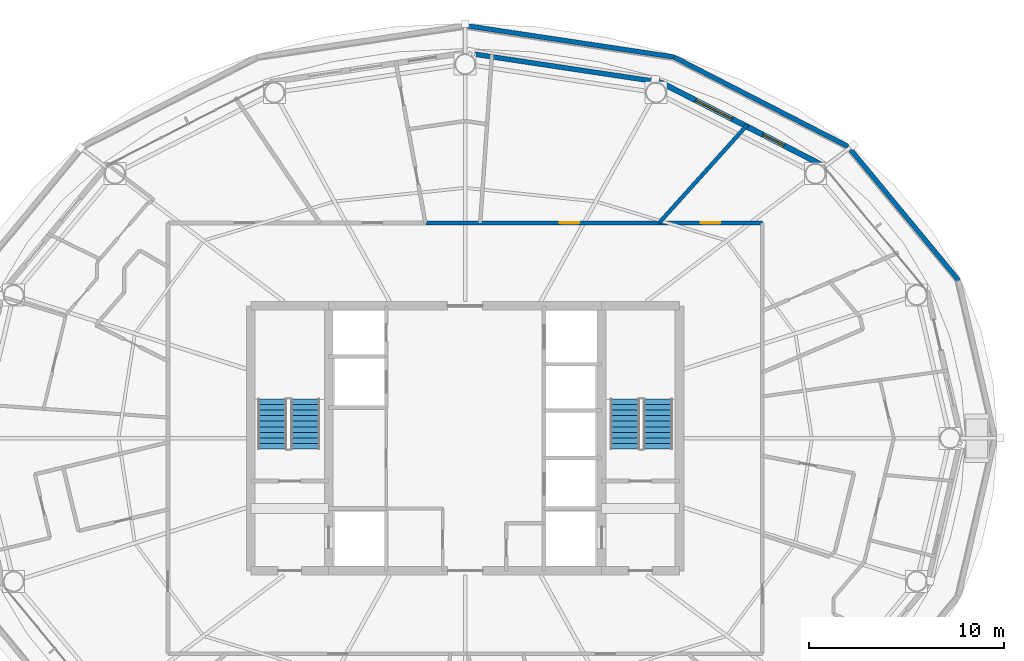
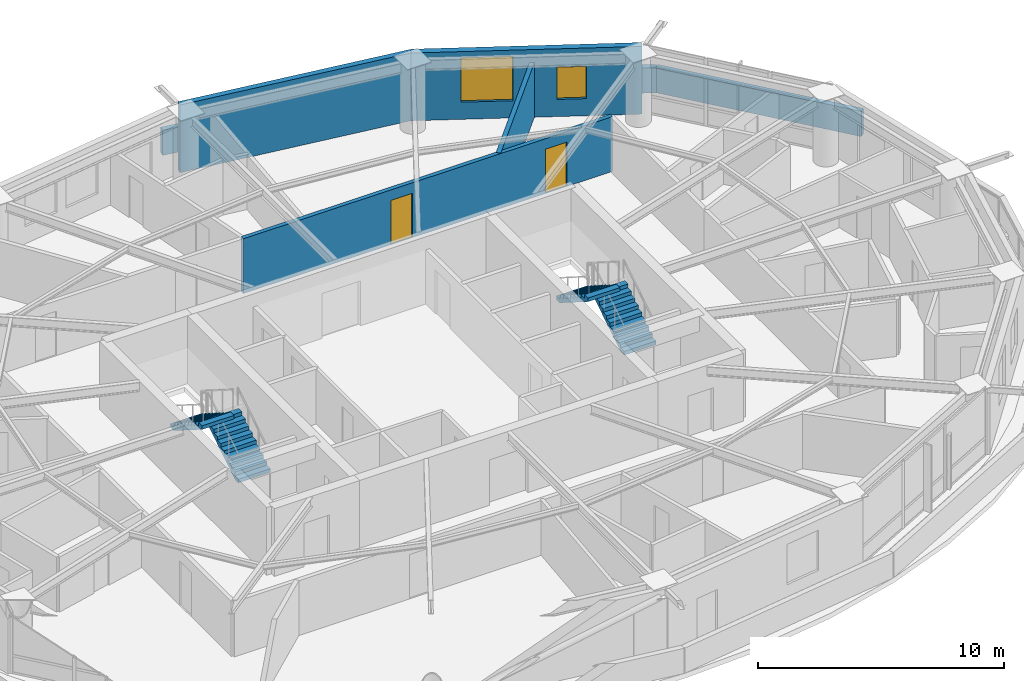
# One storey, part 19 of 22: 7 walls, 4 stair flights, 2 doors, 2 windows, 4 openings, 2 elements without a shape of their own.
"""IFC4 building model written with IfcOpenShell, lengths in metres."""

from ifc_helpers import new_model, si_unit, direction, frame, frame_2d, origin, place, context, subcontext, project, spatial, polyline, rectangle, outline, extrude, material, layer, layer_set, type_object, element, fill, aggregate, save


model = new_model("IFC4")

# Units and contexts
model_context = context("Model", 3, precision=1e-05, world=origin(), true_north=direction((0.0, 1.0)))
body_context = subcontext(model_context, "Body", "Model", "MODEL_VIEW")
ifc_project = project(units=[si_unit("LENGTHUNIT", "METRE"), si_unit("AREAUNIT", "SQUARE_METRE"), si_unit("VOLUMEUNIT", "CUBIC_METRE"), si_unit("PLANEANGLEUNIT", "RADIAN"), si_unit("MASSUNIT", "GRAM", prefix="KILO")], contexts=[model_context])

# Site, building, storey
site_placement = place(None, origin())
site = spatial("IfcSite", under=ifc_project, at=site_placement, CompositionType="ELEMENT")
building_placement = place(site_placement, origin())
building = spatial("IfcBuilding", under=site, at=building_placement, Name="Sarneth Arch Tower", CompositionType="ELEMENT")
storey_placement = place(building_placement, frame((0.0, 0.0, 206.39990234375)))
storey = spatial("IfcBuildingStorey", under=building, at=storey_placement, Name="L52", CompositionType="ELEMENT", Elevation=206.39990234375)

# Wall, openings, doors
ifc_material_1 = material(Name="Double steel-stud corridor fire wall", Category="steel")
ifc_layer_1 = layer(ifc_material_1, 0.18994140625)
ifc_layer_set_1 = layer_set([ifc_layer_1], Name="Double steel-stud corridor fire wall")
wall_type_1 = type_object("IfcWallType", Name="WALL-CORR-190", PredefinedType="PARTITIONING", material=ifc_layer_set_1)
wall_1_placement = place(storey_placement, frame((45.931396484375, 53.050048828125, 0.0), z_axis=(0.0, 0.0, 1.0), x_axis=(1.0, 0.0, 0.0)))
wall_1 = element("IfcWall", 1, at=wall_1_placement, inside=storey, type_object=wall_type_1, Name="L52 Interior partition W-L52-TP-005", PredefinedType="PARTITIONING", context=body_context, shape_type="SweptSolid", body=[
    extrude(rectangle(XDim=17.318603515625, YDim=0.18994140625, at=frame_2d((8.6591796875, 0.0))), origin(), (0.0, 0.0, 1.0), 2.72021484375),
])
opening_1_placement = place(wall_1_placement, frame((6.93505859375, 0.0, 0.0)))
opening_1 = element("IfcOpeningElement", 2, at=opening_1_placement, cuts=wall_1, Name="Opening FD-08", PredefinedType="OPENING", context=body_context, shape_type="SweptSolid", body=[
    extrude(rectangle(XDim=1.0, YDim=2.199951171875, at=frame_2d((0.5, 1.10009765625))), frame((0.0, 0.10498046875, 0.0), z_axis=(0.0, -1.0, 0.0), x_axis=(1.0, 0.0, 0.0)), (0.0, 0.0, 1.0), 0.2099609375),
])
opening_2_placement = place(wall_1_placement, frame((14.168212890625, 0.0, 0.0)))
opening_2 = element("IfcOpeningElement", 3, at=opening_2_placement, cuts=wall_1, Name="Opening FD-08", PredefinedType="OPENING", context=body_context, shape_type="SweptSolid", body=[
    extrude(rectangle(XDim=1.0, YDim=2.199951171875, at=frame_2d((0.5, 1.10009765625))), frame((0.0, 0.10498046875, 0.0), z_axis=(0.0, -1.0, 0.0), x_axis=(1.0, 0.0, 0.0)), (0.0, 0.0, 1.0), 0.2099609375),
])
ifc_material_2 = material(Name="Hardwood timber acoustic fire door", Category="wood")
door_type = type_object("IfcDoorType", Name="DR-FD60-1000", OperationType="SINGLE_SWING_LEFT", PredefinedType="DOOR", material=ifc_material_2)
door_1_placement = place(opening_1_placement, origin())
door_1 = element("IfcDoor", 4, at=door_1_placement, inside=storey, type_object=door_type, Name="L52 Interior door DR-L52-RAMN-02", OperationType="SINGLE_SWING_LEFT", OverallHeight=2.199951171875, OverallWidth=1.0, PredefinedType="DOOR", context=body_context, shape_type="SweptSolid", body=[
    extrude(rectangle(XDim=1.0, YDim=2.199951171875, at=frame_2d((0.5, 1.10009765625))), frame((0.0, 0.02490234375, 0.0), z_axis=(0.0, -1.0, 0.0), x_axis=(1.0, 0.0, 0.0)), (0.0, 0.0, 1.0), 0.050048828125),
])
fill(opening_1, door_1)
door_2_placement = place(opening_2_placement, origin())
door_2 = element("IfcDoor", 5, at=door_2_placement, inside=storey, type_object=door_type, Name="L52 Interior door DR-L52-U1-ENT", OperationType="SINGLE_SWING_LEFT", OverallHeight=2.199951171875, OverallWidth=1.0, PredefinedType="DOOR", context=body_context, shape_type="SweptSolid", body=[
    extrude(rectangle(XDim=1.0, YDim=2.199951171875, at=frame_2d((0.5, 1.10009765625))), frame((0.0, 0.02490234375, 0.0), z_axis=(0.0, -1.0, 0.0), x_axis=(1.0, 0.0, 0.0)), (0.0, 0.0, 1.0), 0.050048828125),
])
fill(opening_2, door_2)

# Wall
ifc_material_3 = material(Name="Extruded terracotta rainscreen on Concrete C40/50 backing", Category="masonry")
ifc_layer_2 = layer(ifc_material_3, 0.25)
ifc_layer_set_2 = layer_set([ifc_layer_2], Name="Extruded terracotta rainscreen on Concrete C40/50 backing")
wall_type_2 = type_object("IfcWallType", Name="WALL-EXT-SPAND-250", PredefinedType="SOLIDWALL", material=ifc_layer_set_2)
wall_2_placement = place(storey_placement, frame((58.0126953125, 60.2744140625, 0.0), z_axis=(0.0, 0.0, 1.0), x_axis=(-0.988882522213, 0.148698881169, 0.0)))
element("IfcWall", 6, at=wall_2_placement, inside=storey, type_object=wall_type_2, Name="L52 Terracotta perimeter wall 04", PredefinedType="SOLIDWALL", context=body_context, shape_type="SweptSolid", body=[
    extrude(rectangle(XDim=10.125244140625, YDim=0.25, at=frame_2d((5.0625, 0.0))), origin(), (0.0, 0.0, 1.0), 3.360107421875),
])

# Wall, openings, windows
ifc_material_4 = material(Name="Extruded terracotta rainscreen on Concrete C40/50 backing", Category="masonry")
ifc_layer_3 = layer(ifc_material_4, 0.280029296875)
ifc_layer_set_3 = layer_set([ifc_layer_3], Name="Extruded terracotta rainscreen on Concrete C40/50 backing")
wall_type_3 = type_object("IfcWallType", Name="WALL-EXT-TERRA-280", PredefinedType="SOLIDWALL", material=ifc_layer_set_3)
wall_3_placement = place(storey_placement, frame((66.382568359375, 55.986572265625, 0.0), z_axis=(0.0, 0.0, 1.0), x_axis=(-0.890007394051, 0.455946091699, 0.0)))
wall_3 = element("IfcWall", 7, at=wall_3_placement, inside=storey, type_object=wall_type_3, Name="L52 Terracotta perimeter wall 03", PredefinedType="SOLIDWALL", context=body_context, shape_type="SweptSolid", body=[
    extrude(rectangle(XDim=9.404296875, YDim=0.280029296875, at=frame_2d((4.7021484375, 0.0))), origin(), (0.0, 0.0, 1.0), 3.360107421875),
])
opening_3_placement = place(wall_3_placement, frame((2.27294921875, 0.0, 0.85009765625)))
opening_3 = element("IfcOpeningElement", 8, at=opening_3_placement, cuts=wall_3, Name="Opening W-10", PredefinedType="OPENING", context=body_context, shape_type="SweptSolid", body=[
    extrude(rectangle(XDim=1.199951171875, YDim=1.60009765625, at=frame_2d((0.60009765625, 0.800048828125))), frame((0.0, 0.14990234375, 0.0), z_axis=(0.0, -1.0, 0.0), x_axis=(1.0, 0.0, 0.0)), (0.0, 0.0, 1.0), 0.300048828125),
])
opening_4_placement = place(wall_3_placement, frame((5.263916015625, 0.0, 0.85009765625)))
opening_4 = element("IfcOpeningElement", 9, at=opening_4_placement, cuts=wall_3, Name="Opening W-03", PredefinedType="OPENING", context=body_context, shape_type="SweptSolid", body=[
    extrude(rectangle(XDim=2.10009765625, YDim=2.199951171875, at=frame_2d((1.050048828125, 1.10009765625))), frame((0.0, 0.14990234375, 0.0), z_axis=(0.0, -1.0, 0.0), x_axis=(1.0, 0.0, 0.0)), (0.0, 0.0, 1.0), 0.300048828125),
])
ifc_material_5 = material(Name="Thermally broken Aluminium 6063-T6 and low-e laminated IGU", Category="aluminium")
window_type_1 = type_object("IfcWindowType", Name="WIN-TWR-1200x1600", PartitioningType="SINGLE_PANEL", PredefinedType="WINDOW", material=ifc_material_5)
window_1_placement = place(opening_3_placement, origin())
window_1 = element("IfcWindow", 10, at=window_1_placement, inside=storey, type_object=window_type_1, Name="L52 Exterior window 03A", OverallHeight=1.60009765625, OverallWidth=1.199951171875, PartitioningType="SINGLE_PANEL", PredefinedType="WINDOW", context=body_context, shape_type="SweptSolid", body=[
    extrude(rectangle(XDim=1.199951171875, YDim=1.60009765625, at=frame_2d((0.60009765625, 0.800048828125))), frame((0.0, 0.030029296875, 0.0), z_axis=(0.0, -1.0, 0.0), x_axis=(1.0, 0.0, 0.0)), (0.0, 0.0, 1.0), 0.06005859375),
])
fill(opening_3, window_1)
ifc_material_6 = material(Name="Thermally broken Aluminium 6063-T6 and low-e laminated IGU", Category="aluminium")
window_type_2 = type_object("IfcWindowType", Name="WIN-TWR-2100x2200", PartitioningType="DOUBLE_PANEL_VERTICAL", PredefinedType="WINDOW", material=ifc_material_6)
window_2_placement = place(opening_4_placement, origin())
window_2 = element("IfcWindow", 11, at=window_2_placement, inside=storey, type_object=window_type_2, Name="L52 Exterior window 03B", OverallHeight=2.199951171875, OverallWidth=2.10009765625, PartitioningType="SINGLE_PANEL", PredefinedType="WINDOW", context=body_context, shape_type="SweptSolid", body=[
    extrude(rectangle(XDim=2.10009765625, YDim=2.199951171875, at=frame_2d((1.050048828125, 1.10009765625))), frame((0.0, 0.030029296875, 0.0), z_axis=(0.0, -1.0, 0.0), x_axis=(1.0, 0.0, 0.0)), (0.0, 0.0, 1.0), 0.06005859375),
])
fill(opening_4, window_2)

# Walls
ifc_material_7 = material(Name="Extruded terracotta rainscreen on Concrete C40/50 backing", Category="masonry")
ifc_layer_4 = layer(ifc_material_7, 0.239990234375)
ifc_layer_set_4 = layer_set([ifc_layer_4], Name="Extruded terracotta rainscreen on Concrete C40/50 backing")
wall_type_4 = type_object("IfcWallType", Name="WALL-PARAPET-240", PredefinedType="PARAPET", material=ifc_layer_set_4)
wall_4_placement = place(storey_placement, frame((73.32275390625, 50.105224609375, 0.0), z_axis=(0.0, 0.0, 1.0), x_axis=(-0.636894188862, 0.770951225561, 0.0)))
element("IfcWall", 12, at=wall_4_placement, inside=storey, type_object=wall_type_4, Name="L52 Setback roof parapet 02", PredefinedType="PARAPET", context=body_context, shape_type="SweptSolid", body=[
    extrude(rectangle(XDim=8.912841796875, YDim=0.239990234375, at=frame_2d((4.45654296875, 0.0))), origin(), (0.0, 0.0, 1.0), 1.25),
])
wall_5_placement = place(storey_placement, frame((67.646240234375, 56.9765625, 0.0), z_axis=(0.0, 0.0, 1.0), x_axis=(-0.889652072391, 0.456639015077, 0.0)))
element("IfcWall", 13, at=wall_5_placement, inside=storey, type_object=wall_type_4, Name="L52 Setback roof parapet 03", PredefinedType="PARAPET", context=body_context, shape_type="SweptSolid", body=[
    extrude(rectangle(XDim=10.0546875, YDim=0.239990234375, at=frame_2d((5.02734375, 0.0))), origin(), (0.0, 0.0, 1.0), 1.25),
])
wall_6_placement = place(storey_placement, frame((58.701171875, 61.56787109375, 0.0), z_axis=(0.0, 0.0, 1.0), x_axis=(-0.988842828913, 0.148962611775, 0.0)))
element("IfcWall", 14, at=wall_6_placement, inside=storey, type_object=wall_type_4, Name="L52 Setback roof parapet 04", PredefinedType="PARAPET", context=body_context, shape_type="SweptSolid", body=[
    extrude(rectangle(XDim=10.822021484375, YDim=0.239990234375, at=frame_2d((5.4111328125, 0.0))), origin(), (0.0, 0.0, 1.0), 1.25),
])
ifc_material_8 = material(Name="Double steel-stud acoustic drywall", Category="steel")
ifc_layer_5 = layer(ifc_material_8, 0.199951171875)
ifc_layer_set_5 = layer_set([ifc_layer_5], Name="Double steel-stud acoustic drywall")
wall_type_5 = type_object("IfcWallType", Name="WALL-UNIT-200", PredefinedType="PARTITIONING", material=ifc_layer_set_5)
wall_7_placement = place(storey_placement, frame((57.949462890625, 53.050048828125, 0.0), z_axis=(0.0, 0.0, 1.0), x_axis=(0.66913524162, 0.743140651844, 0.0)))
element("IfcWall", 15, at=wall_7_placement, inside=storey, type_object=wall_type_5, Name="L52 Interior partition W-L52-TP-026", PredefinedType="PARTITIONING", context=body_context, shape_type="SweptSolid", body=[
    extrude(rectangle(XDim=6.802490234375, YDim=0.199951171875, at=frame_2d((3.4013671875, 0.0))), origin(), (0.0, 0.0, 1.0), 2.72021484375),
])

# Stair, stair flights
ifc_material_9 = material(Name="Concrete C50/60", Category="concrete")
stair_type = type_object("IfcStairType", Name="STAIR-CORE-RC", PredefinedType="HALF_TURN_STAIR", material=ifc_material_9)
stair_1_placement = place(storey_placement, origin())
stair_1 = element("IfcStair", 16, at=stair_1_placement, inside=storey, type_object=stair_type, Name="L52 Core Exit Stair 1", PredefinedType="HALF_TURN_STAIR")
ifc_material_10 = material(Name="Concrete C50/60", Category="concrete")
stair_flight_type = type_object("IfcStairFlightType", Name="FLIGHT-RC-1500", PredefinedType="STRAIGHT", material=ifc_material_10)
stair_flight_1_placement = place(storey_placement, frame((39.800048828125, 41.449951171875, 0.0), z_axis=(0.0, 0.0, 1.0), x_axis=(0.0, 1.0, 0.0)))
stair_flight_1 = element("IfcStairFlight", 17, at=stair_flight_1_placement, type_object=stair_flight_type, Name="ST-1 flight 1", NumberOfRisers=10, NumberOfTreads=9, PredefinedType="STRAIGHT", RiserHeight=0.18, TreadLength=0.285, context=body_context, shape_type="SweptSolid", body=[
    extrude(outline(polyline([(0.0, 0.0), (0.0, 0.179931640625), (0.284912109375, 0.179931640625), (0.284912109375, 0.360107421875), (0.570068359375, 0.360107421875), (0.570068359375, 0.5400390625), (0.85498046875, 0.5400390625), (0.85498046875, 0.719970703125), (1.139892578125, 0.719970703125), (1.139892578125, 0.89990234375), (1.425048828125, 0.89990234375), (1.425048828125, 1.080078125), (1.7099609375, 1.080078125), (1.7099609375, 1.260009765625), (1.9951171875, 1.260009765625), (1.9951171875, 1.43994140625), (2.280029296875, 1.43994140625), (2.280029296875, 1.6201171875), (2.56494140625, 1.6201171875), (2.56494140625, 1.800048828125), (2.56494140625, 1.442626953125), (0.28076171875, 0.0), (0.0, 0.0)])), frame((0.0, 0.75, 0.0), z_axis=(0.0, -1.0, 0.0), x_axis=(1.0, 0.0, 0.0)), (0.0, 0.0, 1.0), 1.5),
])
stair_flight_2_placement = place(storey_placement, frame((38.10009765625, 44.014892578125, 1.800048828125), z_axis=(0.0, 0.0, 1.0), x_axis=(0.0, -1.0, 0.0)))
stair_flight_2 = element("IfcStairFlight", 18, at=stair_flight_2_placement, type_object=stair_flight_type, Name="ST-1 flight 2", NumberOfRisers=10, NumberOfTreads=9, PredefinedType="STRAIGHT", RiserHeight=0.18, TreadLength=0.285, context=body_context, shape_type="SweptSolid", body=[
    extrude(outline(polyline([(0.0, 0.0), (0.0, 0.179931640625), (0.284912109375, 0.179931640625), (0.284912109375, 0.360107421875), (0.570068359375, 0.360107421875), (0.570068359375, 0.5400390625), (0.85498046875, 0.5400390625), (0.85498046875, 0.719970703125), (1.139892578125, 0.719970703125), (1.139892578125, 0.89990234375), (1.425048828125, 0.89990234375), (1.425048828125, 1.080078125), (1.7099609375, 1.080078125), (1.7099609375, 1.260009765625), (1.9951171875, 1.260009765625), (1.9951171875, 1.43994140625), (2.280029296875, 1.43994140625), (2.280029296875, 1.6201171875), (2.56494140625, 1.6201171875), (2.56494140625, 1.800048828125), (2.56494140625, 1.442626953125), (0.28076171875, 0.0), (0.0, 0.0)])), frame((0.0, 0.75, 0.0), z_axis=(0.0, -1.0, 0.0), x_axis=(1.0, 0.0, 0.0)), (0.0, 0.0, 1.0), 1.5),
])
aggregate(stair_1, [stair_flight_1, stair_flight_2])

stair_2_placement = place(storey_placement, origin())
stair_2 = element("IfcStair", 19, at=stair_2_placement, inside=storey, type_object=stair_type, Name="L52 Core Exit Stair 2", PredefinedType="HALF_TURN_STAIR")
stair_flight_3_placement = place(storey_placement, frame((57.89990234375, 41.449951171875, 0.0), z_axis=(0.0, 0.0, 1.0), x_axis=(0.0, 1.0, 0.0)))
stair_flight_3 = element("IfcStairFlight", 20, at=stair_flight_3_placement, type_object=stair_flight_type, Name="ST-2 flight 1", NumberOfRisers=10, NumberOfTreads=9, PredefinedType="STRAIGHT", RiserHeight=0.18, TreadLength=0.285, context=body_context, shape_type="SweptSolid", body=[
    extrude(outline(polyline([(0.0, 0.0), (0.0, 0.179931640625), (0.284912109375, 0.179931640625), (0.284912109375, 0.360107421875), (0.570068359375, 0.360107421875), (0.570068359375, 0.5400390625), (0.85498046875, 0.5400390625), (0.85498046875, 0.719970703125), (1.139892578125, 0.719970703125), (1.139892578125, 0.89990234375), (1.425048828125, 0.89990234375), (1.425048828125, 1.080078125), (1.7099609375, 1.080078125), (1.7099609375, 1.260009765625), (1.9951171875, 1.260009765625), (1.9951171875, 1.43994140625), (2.280029296875, 1.43994140625), (2.280029296875, 1.6201171875), (2.56494140625, 1.6201171875), (2.56494140625, 1.800048828125), (2.56494140625, 1.442626953125), (0.28076171875, 0.0), (0.0, 0.0)])), frame((0.0, 0.75, 0.0), z_axis=(0.0, -1.0, 0.0), x_axis=(1.0, 0.0, 0.0)), (0.0, 0.0, 1.0), 1.5),
])
stair_flight_4_placement = place(storey_placement, frame((56.199951171875, 44.014892578125, 1.800048828125), z_axis=(0.0, 0.0, 1.0), x_axis=(0.0, -1.0, 0.0)))
stair_flight_4 = element("IfcStairFlight", 21, at=stair_flight_4_placement, type_object=stair_flight_type, Name="ST-2 flight 2", NumberOfRisers=10, NumberOfTreads=9, PredefinedType="STRAIGHT", RiserHeight=0.18, TreadLength=0.285, context=body_context, shape_type="SweptSolid", body=[
    extrude(outline(polyline([(0.0, 0.0), (0.0, 0.179931640625), (0.284912109375, 0.179931640625), (0.284912109375, 0.360107421875), (0.570068359375, 0.360107421875), (0.570068359375, 0.5400390625), (0.85498046875, 0.5400390625), (0.85498046875, 0.719970703125), (1.139892578125, 0.719970703125), (1.139892578125, 0.89990234375), (1.425048828125, 0.89990234375), (1.425048828125, 1.080078125), (1.7099609375, 1.080078125), (1.7099609375, 1.260009765625), (1.9951171875, 1.260009765625), (1.9951171875, 1.43994140625), (2.280029296875, 1.43994140625), (2.280029296875, 1.6201171875), (2.56494140625, 1.6201171875), (2.56494140625, 1.800048828125), (2.56494140625, 1.442626953125), (0.28076171875, 0.0), (0.0, 0.0)])), frame((0.0, 0.75, 0.0), z_axis=(0.0, -1.0, 0.0), x_axis=(1.0, 0.0, 0.0)), (0.0, 0.0, 1.0), 1.5),
])
aggregate(stair_2, [stair_flight_3, stair_flight_4])

save(model, "model.ifc")
